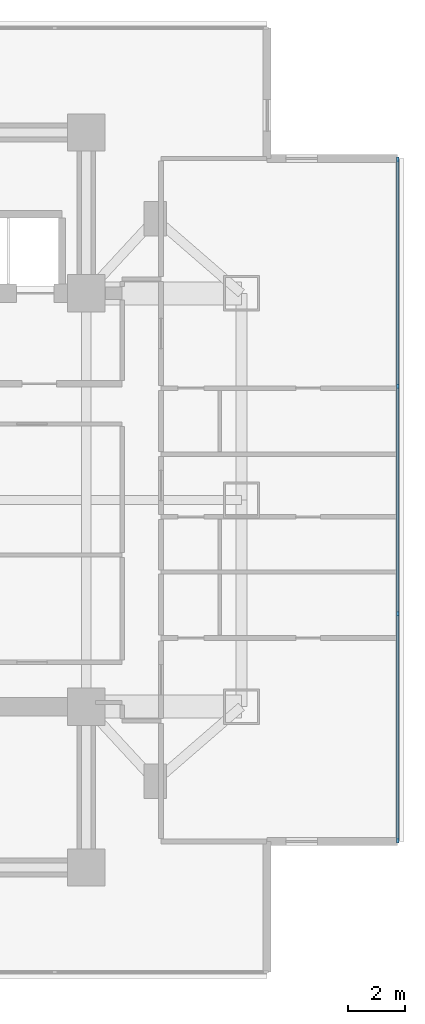
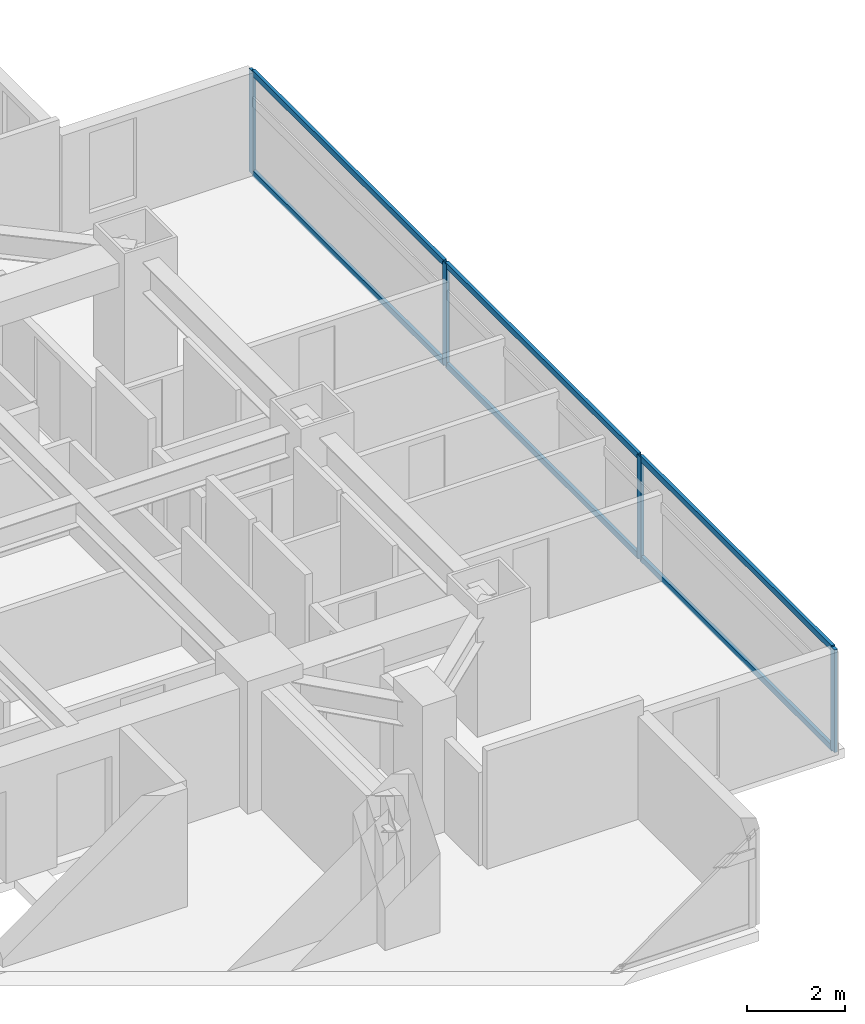
# One storey, part 11 of 26: 10 members, 1 element without a shape of its own.
"""IFC4 building model written with IfcOpenShell, lengths in metres."""

from ifc_helpers import new_model, si_unit, direction, frame, origin, origin_2d, place, context, subcontext, project, spatial, rectangle, extrude, material, material_profile, profile_set, type_object, element, aggregate, save


model = new_model("IFC4")

# Units and contexts
model_context = context("Model", 3, precision=1e-05, world=origin(), true_north=direction((0.0, 1.0)))
body_context = subcontext(model_context, "Body", "Model", "MODEL_VIEW")
ifc_project = project(units=[si_unit("LENGTHUNIT", "METRE"), si_unit("AREAUNIT", "SQUARE_METRE"), si_unit("VOLUMEUNIT", "CUBIC_METRE"), si_unit("PLANEANGLEUNIT", "RADIAN"), si_unit("MASSUNIT", "GRAM", prefix="KILO")], contexts=[model_context])

# Site, building, storey
site_placement = place(None, origin())
site = spatial("IfcSite", under=ifc_project, at=site_placement, CompositionType="ELEMENT")
building_placement = place(site_placement, origin())
building = spatial("IfcBuilding", under=site, at=building_placement, Name="Mirazonda Arch Towers", CompositionType="ELEMENT")
storey_placement = place(building_placement, frame((0.0, 0.0, 78.5)))
storey = spatial("IfcBuildingStorey", under=building, at=storey_placement, Name="L22", CompositionType="ELEMENT", Elevation=78.5)

# Curtain wall, members
ifc_material_1 = material(Name="Anodised Aluminium and Low-E Glass", Category="aluminium")
curtain_wall_type = type_object("IfcCurtainWallType", Name="CW-HTL-UNIT", PredefinedType="NOTDEFINED", material=ifc_material_1)
curtain_wall_placement = place(storey_placement, origin())
curtain_wall = element("IfcCurtainWall", 1, at=curtain_wall_placement, inside=storey, type_object=curtain_wall_type, Name="L22 T2 E Facade CW-L22-T2-E", PredefinedType="NOTDEFINED")
ifc_material_2 = material(Name="Anodised Aluminium Alloy", Category="aluminium")
ifc_material_profile_1 = material_profile(ifc_material_2, rectangle(XDim=0.074951171875, YDim=0.1650390625, at=origin_2d()), Name="ALU-MULL-75x165")
ifc_profile_set_1 = profile_set([ifc_material_profile_1], Name="Anodised Aluminium Alloy")
member_type_1 = type_object("IfcMemberType", Name="MULL-CW-HTL-UNIT", PredefinedType="MULLION", material=ifc_profile_set_1)
member_1_placement = place(storey_placement, frame((95.843994140625, 16.14111328125, 0.0), z_axis=(0.0, 0.0, 1.0), x_axis=(-1.0, 0.0, 0.0)))
member_1 = element("IfcMember", 2, at=member_1_placement, type_object=member_type_1, Name="CW-112 mullion 1", PredefinedType="MULLION", context=body_context, shape_type="SweptSolid", body=[
    extrude(rectangle(XDim=0.074951171875, YDim=0.1650390625, at=origin_2d()), origin(), (0.0, 0.0, 1.0), 2.56005859375),
])
member_2_placement = place(storey_placement, frame((95.843994140625, 24.034423828125, 0.0), z_axis=(0.0, 0.0, 1.0), x_axis=(-1.0, 0.0, 0.0)))
member_2 = element("IfcMember", 3, at=member_2_placement, type_object=member_type_1, Name="CW-112 mullion 2", PredefinedType="MULLION", context=body_context, shape_type="SweptSolid", body=[
    extrude(rectangle(XDim=0.074951171875, YDim=0.1650390625, at=origin_2d()), origin(), (0.0, 0.0, 1.0), 2.56005859375),
])
member_3_placement = place(storey_placement, frame((95.843994140625, 31.965576171875, 0.0), z_axis=(0.0, 0.0, 1.0), x_axis=(-1.0, 0.0, 0.0)))
member_3 = element("IfcMember", 4, at=member_3_placement, type_object=member_type_1, Name="CW-112 mullion 3", PredefinedType="MULLION", context=body_context, shape_type="SweptSolid", body=[
    extrude(rectangle(XDim=0.074951171875, YDim=0.1650390625, at=origin_2d()), origin(), (0.0, 0.0, 1.0), 2.56005859375),
])
member_4_placement = place(storey_placement, frame((95.843994140625, 39.85888671875, 0.0), z_axis=(0.0, 0.0, 1.0), x_axis=(-1.0, 0.0, 0.0)))
member_4 = element("IfcMember", 5, at=member_4_placement, type_object=member_type_1, Name="CW-112 mullion 4", PredefinedType="MULLION", context=body_context, shape_type="SweptSolid", body=[
    extrude(rectangle(XDim=0.074951171875, YDim=0.1650390625, at=origin_2d()), origin(), (0.0, 0.0, 1.0), 2.56005859375),
])
ifc_material_profile_2 = material_profile(ifc_material_2, rectangle(XDim=0.074951171875, YDim=0.14501953125, at=origin_2d()), Name="ALU-TRAN-75x145")
ifc_profile_set_2 = profile_set([ifc_material_profile_2], Name="Anodised Aluminium Alloy")
member_type_2 = type_object("IfcMemberType", Name="TRAN-CW-HTL-UNIT", PredefinedType="USERDEFINED", material=ifc_profile_set_2)
member_5_placement = place(storey_placement, frame((95.843994140625, 16.1787109375, 0.03759765625), z_axis=(0.0, 1.0, 0.0), x_axis=(-1.0, 0.0, 0.0)))
member_5 = element("IfcMember", 6, at=member_5_placement, type_object=member_type_2, Name="CW-112 transom 1.1", ObjectType="TRANSOM", PredefinedType="USERDEFINED", context=body_context, shape_type="SweptSolid", body=[
    extrude(rectangle(XDim=0.074951171875, YDim=0.14501953125, at=origin_2d()), origin(), (0.0, 0.0, 1.0), 7.818359375),
])
member_6_placement = place(storey_placement, frame((95.843994140625, 16.1787109375, 2.5224609375), z_axis=(0.0, 1.0, 0.0), x_axis=(-1.0, 0.0, 0.0)))
member_6 = element("IfcMember", 7, at=member_6_placement, type_object=member_type_2, Name="CW-112 transom 1.2", ObjectType="TRANSOM", PredefinedType="USERDEFINED", context=body_context, shape_type="SweptSolid", body=[
    extrude(rectangle(XDim=0.074951171875, YDim=0.14501953125, at=origin_2d()), origin(), (0.0, 0.0, 1.0), 7.818359375),
])
member_7_placement = place(storey_placement, frame((95.843994140625, 24.072021484375, 0.03759765625), z_axis=(0.0, 1.0, 0.0), x_axis=(-1.0, 0.0, 0.0)))
member_7 = element("IfcMember", 8, at=member_7_placement, type_object=member_type_2, Name="CW-112 transom 2.1", ObjectType="TRANSOM", PredefinedType="USERDEFINED", context=body_context, shape_type="SweptSolid", body=[
    extrude(rectangle(XDim=0.074951171875, YDim=0.14501953125, at=origin_2d()), origin(), (0.0, 0.0, 1.0), 7.85595703125),
])
member_8_placement = place(storey_placement, frame((95.843994140625, 24.072021484375, 2.5224609375), z_axis=(0.0, 1.0, 0.0), x_axis=(-1.0, 0.0, 0.0)))
member_8 = element("IfcMember", 9, at=member_8_placement, type_object=member_type_2, Name="CW-112 transom 2.2", ObjectType="TRANSOM", PredefinedType="USERDEFINED", context=body_context, shape_type="SweptSolid", body=[
    extrude(rectangle(XDim=0.074951171875, YDim=0.14501953125, at=origin_2d()), origin(), (0.0, 0.0, 1.0), 7.85595703125),
])
member_9_placement = place(storey_placement, frame((95.843994140625, 32.0029296875, 0.03759765625), z_axis=(0.0, 1.0, 0.0), x_axis=(-1.0, 0.0, 0.0)))
member_9 = element("IfcMember", 10, at=member_9_placement, type_object=member_type_2, Name="CW-112 transom 3.1", ObjectType="TRANSOM", PredefinedType="USERDEFINED", context=body_context, shape_type="SweptSolid", body=[
    extrude(rectangle(XDim=0.074951171875, YDim=0.14501953125, at=origin_2d()), origin(), (0.0, 0.0, 1.0), 7.818359375),
])
member_10_placement = place(storey_placement, frame((95.843994140625, 32.0029296875, 2.5224609375), z_axis=(0.0, 1.0, 0.0), x_axis=(-1.0, 0.0, 0.0)))
member_10 = element("IfcMember", 11, at=member_10_placement, type_object=member_type_2, Name="CW-112 transom 3.2", ObjectType="TRANSOM", PredefinedType="USERDEFINED", context=body_context, shape_type="SweptSolid", body=[
    extrude(rectangle(XDim=0.074951171875, YDim=0.14501953125, at=origin_2d()), origin(), (0.0, 0.0, 1.0), 7.818359375),
])
aggregate(curtain_wall, [member_1, member_2, member_3, member_4, member_5, member_6, member_7, member_8, member_9, member_10])

save(model, "model.ifc")
